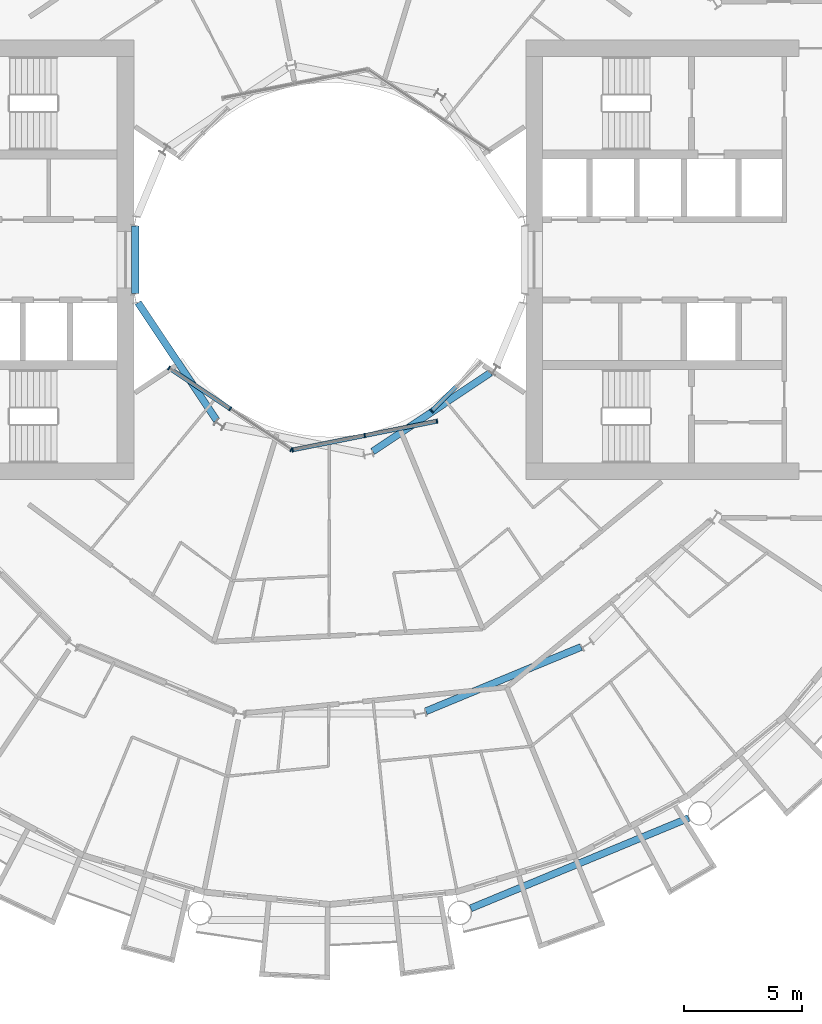
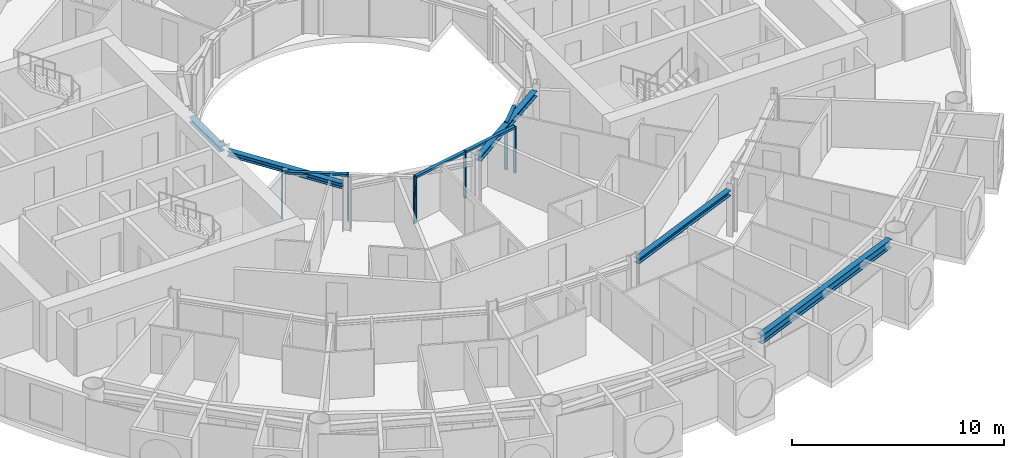
# One storey, part 5 of 26: 11 members, 5 beams, 3 elements without a shape of their own.
"""IFC4 building model written with IfcOpenShell, lengths in metres."""

from ifc_helpers import new_model, si_unit, direction, frame, origin, origin_2d, place, context, subcontext, project, spatial, rectangle, i_section, extrude, material, layer, layer_set, material_profile, profile_set, type_object, element, aggregate, save


model = new_model("IFC4")

# Units and contexts
model_context = context("Model", 3, precision=1e-05, world=origin(), true_north=direction((0.0, 1.0)))
body_context = subcontext(model_context, "Body", "Model", "MODEL_VIEW")
ifc_project = project(units=[si_unit("LENGTHUNIT", "METRE"), si_unit("AREAUNIT", "SQUARE_METRE"), si_unit("VOLUMEUNIT", "CUBIC_METRE"), si_unit("PLANEANGLEUNIT", "RADIAN"), si_unit("MASSUNIT", "GRAM", prefix="KILO")], contexts=[model_context])

# Site, building, storey
site_placement = place(None, origin())
site = spatial("IfcSite", under=ifc_project, at=site_placement, CompositionType="ELEMENT")
building_placement = place(site_placement, origin())
building = spatial("IfcBuilding", under=site, at=building_placement, Name="Maasbend Ring Residences", CompositionType="ELEMENT")
storey_placement = place(building_placement, frame((0.0, 0.0, 63.60009765625)))
storey = spatial("IfcBuildingStorey", under=building, at=storey_placement, Name="L17", CompositionType="ELEMENT", Elevation=63.60009765625)

# Curtain wall, members
ifc_material_1 = material(Name="Aluminium and clear glass", Category="aluminium")
ifc_layer = layer(ifc_material_1, 0.179931640625)
ifc_layer_set = layer_set([ifc_layer], Name="CW-W")
curtain_wall_type = type_object("IfcCurtainWallType", Name="CW-W", PredefinedType="NOTDEFINED", material=ifc_layer_set)
curtain_wall_1_placement = place(storey_placement, origin())
curtain_wall_1 = element("IfcCurtainWall", 1, at=curtain_wall_1_placement, inside=storey, type_object=curtain_wall_type, Name="Well curtain wall S1", PredefinedType="NOTDEFINED")
ifc_material_2 = material(Name="Aluminium 6063-T6", Category="aluminium")
ifc_material_profile_1 = material_profile(ifc_material_2, rectangle(XDim=0.179931640625, YDim=0.06005859375, at=origin_2d()), Name="AL 180x60")
ifc_profile_set_1 = profile_set([ifc_material_profile_1], Name="Aluminium 6063-T6")
member_type_1 = type_object("IfcMemberType", Name="CWM-W", PredefinedType="MULLION", material=ifc_profile_set_1)
member_1_placement = place(storey_placement, frame((-6.805908203125, -4.580810546875, 0.0), z_axis=(0.0, 0.0, 1.0), x_axis=(0.55557023302, 0.831469612303, 0.0)))
member_1 = element("IfcMember", 2, at=member_1_placement, type_object=member_type_1, Name="Mullion well face", PredefinedType="MULLION", context=body_context, shape_type="SweptSolid", body=[
    extrude(rectangle(XDim=0.179931640625, YDim=0.06005859375, at=origin_2d()), origin(), (0.0, 0.0, 1.0), 2.699951171875),
])
member_2_placement = place(storey_placement, frame((-4.216796875, -6.310791015625, 0.0), z_axis=(0.0, 0.0, 1.0), x_axis=(0.55557023302, 0.831469612303, 0.0)))
member_2 = element("IfcMember", 3, at=member_2_placement, type_object=member_type_1, Name="Mullion well face", PredefinedType="MULLION", context=body_context, shape_type="SweptSolid", body=[
    extrude(rectangle(XDim=0.179931640625, YDim=0.06005859375, at=origin_2d()), origin(), (0.0, 0.0, 1.0), 2.699951171875),
])
member_3_placement = place(storey_placement, frame((-1.627685546875, -8.040771484375, 0.0), z_axis=(0.0, 0.0, 1.0), x_axis=(0.55557023302, 0.831469612303, 0.0)))
member_3 = element("IfcMember", 4, at=member_3_placement, type_object=member_type_1, Name="Mullion well face", PredefinedType="MULLION", context=body_context, shape_type="SweptSolid", body=[
    extrude(rectangle(XDim=0.179931640625, YDim=0.06005859375, at=origin_2d()), origin(), (0.0, 0.0, 1.0), 2.699951171875),
])

curtain_wall_2_placement = place(storey_placement, origin())
curtain_wall_2 = element("IfcCurtainWall", 5, at=curtain_wall_2_placement, inside=storey, type_object=curtain_wall_type, Name="Well curtain wall S2", PredefinedType="NOTDEFINED")
member_4_placement = place(storey_placement, frame((-1.5732421875, -8.0517578125, 0.0), z_axis=(0.0, 0.0, 1.0), x_axis=(-0.195090322016, 0.980785280403, 0.0)))
member_4 = element("IfcMember", 6, at=member_4_placement, type_object=member_type_1, Name="Mullion well face", PredefinedType="MULLION", context=body_context, shape_type="SweptSolid", body=[
    extrude(rectangle(XDim=0.179931640625, YDim=0.06005859375, at=origin_2d()), origin(), (0.0, 0.0, 1.0), 2.699951171875),
])
member_5_placement = place(storey_placement, frame((1.480712890625, -7.444091796875, 0.0), z_axis=(0.0, 0.0, 1.0), x_axis=(-0.195090322016, 0.980785280403, 0.0)))
member_5 = element("IfcMember", 7, at=member_5_placement, type_object=member_type_1, Name="Mullion well face", PredefinedType="MULLION", context=body_context, shape_type="SweptSolid", body=[
    extrude(rectangle(XDim=0.179931640625, YDim=0.06005859375, at=origin_2d()), origin(), (0.0, 0.0, 1.0), 2.699951171875),
])
member_6_placement = place(storey_placement, frame((4.53466796875, -6.836669921875, 0.0), z_axis=(0.0, 0.0, 1.0), x_axis=(-0.195090322016, 0.980785280403, 0.0)))
member_6 = element("IfcMember", 8, at=member_6_placement, type_object=member_type_1, Name="Mullion well face", PredefinedType="MULLION", context=body_context, shape_type="SweptSolid", body=[
    extrude(rectangle(XDim=0.179931640625, YDim=0.06005859375, at=origin_2d()), origin(), (0.0, 0.0, 1.0), 2.699951171875),
])

# Curtain wall, member
curtain_wall_3_placement = place(storey_placement, origin())
curtain_wall_3 = element("IfcCurtainWall", 9, at=curtain_wall_3_placement, inside=storey, type_object=curtain_wall_type, Name="Well curtain wall S3", PredefinedType="NOTDEFINED")
member_7_placement = place(storey_placement, frame((4.320556640625, -6.413330078125, 0.0), z_axis=(0.0, 0.0, 1.0), x_axis=(-0.707106781187, 0.707106781187, 0.0)))
member_7 = element("IfcMember", 10, at=member_7_placement, type_object=member_type_1, Name="Mullion well face", PredefinedType="MULLION", context=body_context, shape_type="SweptSolid", body=[
    extrude(rectangle(XDim=0.179931640625, YDim=0.06005859375, at=origin_2d()), origin(), (0.0, 0.0, 1.0), 2.699951171875),
])

# Member
ifc_material_3 = material(Name="Aluminium 6063-T6", Category="aluminium")
ifc_material_profile_2 = material_profile(ifc_material_3, rectangle(XDim=0.179931640625, YDim=0.1201171875, at=origin_2d()), Name="AL 180x120")
ifc_profile_set_2 = profile_set([ifc_material_profile_2], Name="Aluminium 6063-T6")
member_type_2 = type_object("IfcMemberType", Name="CWT-W", PredefinedType="USERDEFINED", material=ifc_profile_set_2)
member_8_placement = place(storey_placement, frame((-6.781005859375, -4.59765625, 2.639892578125), z_axis=(0.831496422459, -0.555530106689, 0.0), x_axis=(0.555530106689, 0.831496422459, 0.0)))
member_8 = element("IfcMember", 11, at=member_8_placement, type_object=member_type_2, Name="Transom well face", ObjectType="TRANSOM", PredefinedType="USERDEFINED", context=body_context, shape_type="SweptSolid", body=[
    extrude(rectangle(XDim=0.179931640625, YDim=0.1201171875, at=origin_2d()), origin(), (0.0, 0.0, 1.0), 3.053955078125),
])

aggregate(curtain_wall_1, [member_1, member_2, member_3, member_8])

member_9_placement = place(storey_placement, frame((-1.5439453125, -8.0458984375, 2.639892578125), z_axis=(0.980776956105, 0.195132166424, 0.0), x_axis=(-0.195132166424, 0.980776956105, 0.0)))
member_9 = element("IfcMember", 12, at=member_9_placement, type_object=member_type_2, Name="Transom well face", ObjectType="TRANSOM", PredefinedType="USERDEFINED", context=body_context, shape_type="SweptSolid", body=[
    extrude(rectangle(XDim=0.179931640625, YDim=0.1201171875, at=origin_2d()), origin(), (0.0, 0.0, 1.0), 3.053955078125),
])

member_10_placement = place(storey_placement, frame((1.51025390625, -7.438232421875, 2.639892578125), z_axis=(0.980789210404, 0.19507056353, 0.0), x_axis=(-0.19507056353, 0.980789210404, 0.0)))
member_10 = element("IfcMember", 13, at=member_10_placement, type_object=member_type_2, Name="Transom well face", ObjectType="TRANSOM", PredefinedType="USERDEFINED", context=body_context, shape_type="SweptSolid", body=[
    extrude(rectangle(XDim=0.179931640625, YDim=0.1201171875, at=origin_2d()), origin(), (0.0, 0.0, 1.0), 3.0537109375),
])

aggregate(curtain_wall_2, [member_4, member_5, member_6, member_9, member_10])

member_11_placement = place(storey_placement, frame((4.341796875, -6.39208984375, 2.639892578125), z_axis=(0.707106781187, 0.707106781187, 0.0), x_axis=(-0.707106781187, 0.707106781187, 0.0)))
member_11 = element("IfcMember", 14, at=member_11_placement, type_object=member_type_2, Name="Transom well face", ObjectType="TRANSOM", PredefinedType="USERDEFINED", context=body_context, shape_type="SweptSolid", body=[
    extrude(rectangle(XDim=0.179931640625, YDim=0.1201171875, at=origin_2d()), origin(), (0.0, 0.0, 1.0), 1.419677734375),
])

aggregate(curtain_wall_3, [member_7, member_11])

# Beams
ifc_material_4 = material(Name="Steel S355J2", Category="steel")
ifc_material_profile_3 = material_profile(ifc_material_4, i_section(OverallWidth=0.300048828125, OverallDepth=0.300048828125, WebThickness=0.010986328125, FlangeThickness=0.01904296875, FilletRadius=0.027099609375, at=origin_2d()), Name="HEB 300")
ifc_profile_set_3 = profile_set([ifc_material_profile_3], Name="Steel S355J2")
beam_type_1 = type_object("IfcBeamType", Name="Corridor ring beam HEB 300", PredefinedType="BEAM", material=ifc_profile_set_3)
beam_1_placement = place(storey_placement, frame((4.070556640625, -19.12109375, 2.5498046875), z_axis=(0.923877113721, 0.382689271788, 0.0), x_axis=(-0.382689271788, 0.923877113721, 0.0)))
element("IfcBeam", 15, at=beam_1_placement, inside=storey, type_object=beam_type_1, Name="Corridor ring beam", PredefinedType="BEAM", context=body_context, shape_type="SweptSolid", body=[
    extrude(i_section(OverallWidth=0.300048828125, OverallDepth=0.300048828125, WebThickness=0.010986328125, FlangeThickness=0.01904296875, FilletRadius=0.027099609375, at=origin_2d()), origin(), (0.0, 0.0, 1.0), 7.11328125),
])
ifc_material_5 = material(Name="Steel S355J2", Category="steel")
ifc_material_profile_4 = material_profile(ifc_material_5, i_section(OverallWidth=0.300048828125, OverallDepth=0.5, WebThickness=0.014404296875, FlangeThickness=0.028076171875, FilletRadius=0.027099609375, at=origin_2d()), Name="HEB 500")
ifc_profile_set_4 = profile_set([ifc_material_profile_4], Name="Steel S355J2")
beam_type_2 = type_object("IfcBeamType", Name="Spandrel ring beam HEB 500", PredefinedType="SPANDREL", material=ifc_profile_set_4)
beam_2_placement = place(storey_placement, frame((5.970703125, -27.463623046875, 2.449951171875), z_axis=(0.923886337442, 0.382667003395, 0.0), x_axis=(-0.382667003395, 0.923886337442, 0.0)))
element("IfcBeam", 16, at=beam_2_placement, inside=storey, type_object=beam_type_2, Name="Spandrel ring beam", PredefinedType="SPANDREL", context=body_context, shape_type="SweptSolid", body=[
    extrude(i_section(OverallWidth=0.300048828125, OverallDepth=0.5, WebThickness=0.014404296875, FlangeThickness=0.028076171875, FilletRadius=0.027099609375, at=origin_2d()), origin(), (0.0, 0.0, 1.0), 9.9873046875),
])
ifc_material_6 = material(Name="Steel S355J2", Category="steel")
ifc_material_profile_5 = material_profile(ifc_material_6, i_section(OverallWidth=0.300048828125, OverallDepth=0.300048828125, WebThickness=0.010986328125, FlangeThickness=0.01904296875, FilletRadius=0.027099609375, at=origin_2d()), Name="HEB 300")
ifc_profile_set_5 = profile_set([ifc_material_profile_5], Name="Steel S355J2")
beam_type_3 = type_object("IfcBeamType", Name="Well edge beam HEB 300", PredefinedType="BEAM", material=ifc_profile_set_5)
beam_3_placement = place(storey_placement, frame((-8.238525390625, 1.434814453125, 2.5498046875), z_axis=(0.0, -1.0, 0.0), x_axis=(1.0, 0.0, 0.0)))
element("IfcBeam", 17, at=beam_3_placement, inside=storey, type_object=beam_type_3, Name="Well edge beam", PredefinedType="BEAM", context=body_context, shape_type="SweptSolid", body=[
    extrude(i_section(OverallWidth=0.300048828125, OverallDepth=0.300048828125, WebThickness=0.010986328125, FlangeThickness=0.01904296875, FilletRadius=0.027099609375, at=origin_2d()), origin(), (0.0, 0.0, 1.0), 2.86962890625),
])
for number, where, z_axis, x_axis, name in (
    (18, (-8.118408203125, -1.81884765625, 2.5498046875), (0.555592533493, -0.83145471117, 0.0), (0.83145471117, 0.555592533493, 0.0), "Well edge beam"),
    (19, (1.81884765625, -8.118408203125, 2.5498046875), (0.83145471117, 0.555592533493, 0.0), (-0.555592533493, 0.83145471117, 0.0), "Well edge beam"),
):
    element("IfcBeam", number, at=place(storey_placement, frame(where, z_axis=z_axis, x_axis=x_axis)), inside=storey, type_object=beam_type_3, Name=name, PredefinedType="BEAM", context=body_context, shape_type="SweptSolid", body=[
        extrude(i_section(OverallWidth=0.300048828125, OverallDepth=0.300048828125, WebThickness=0.010986328125, FlangeThickness=0.01904296875, FilletRadius=0.027099609375, at=origin_2d()), origin(), (0.0, 0.0, 1.0), 5.995849609375),
    ])

save(model, "model.ifc")
